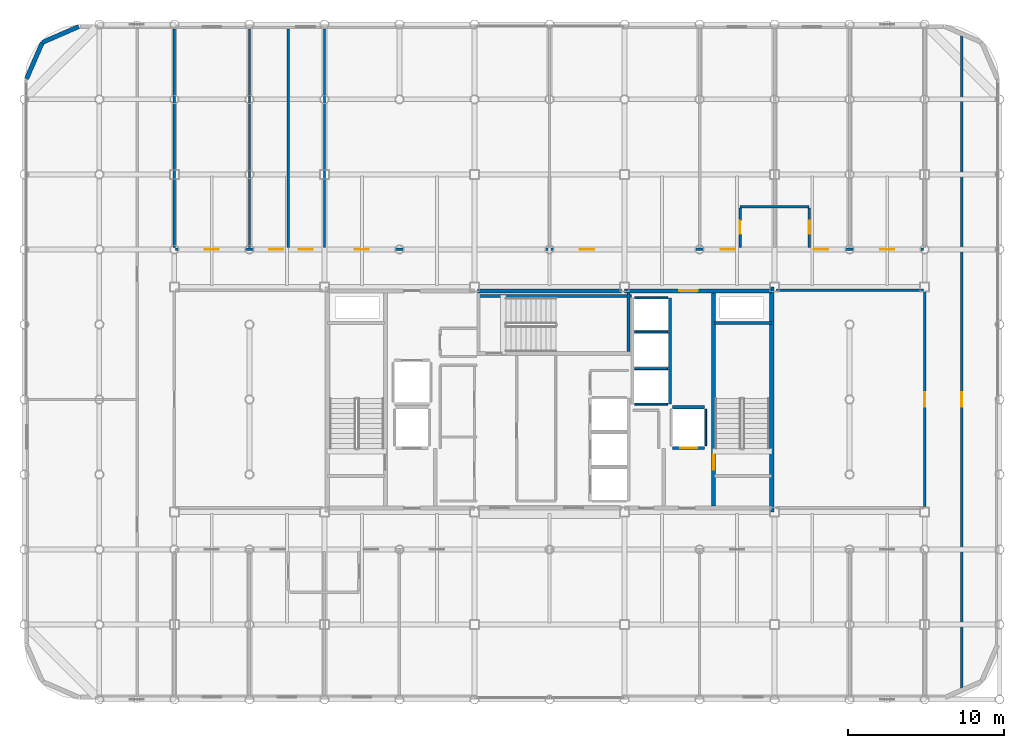
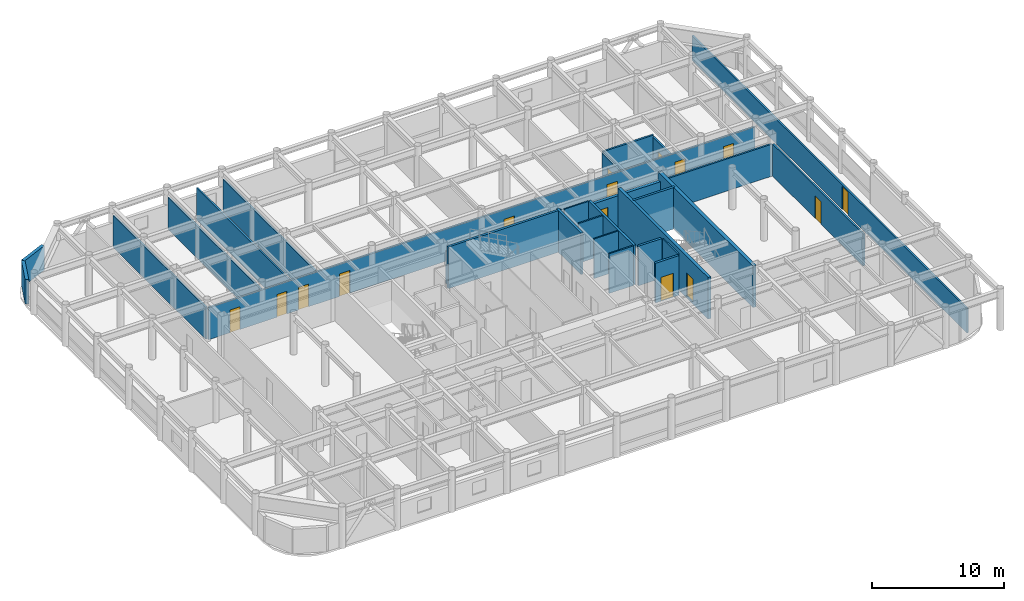
# One storey, part 20 of 22: 28 walls, 15 doors, 15 openings.
"""IFC4 building model written with IfcOpenShell, lengths in metres."""

from ifc_helpers import new_model, si_unit, direction, frame, frame_2d, origin, place, context, subcontext, project, spatial, rectangle, extrude, material, layer, layer_set, type_object, element, fill, save


model = new_model("IFC4")

# Units and contexts
model_context = context("Model", 3, precision=1e-05, world=origin(), true_north=direction((0.0, 1.0)))
body_context = subcontext(model_context, "Body", "Model", "MODEL_VIEW")
ifc_project = project(units=[si_unit("LENGTHUNIT", "METRE"), si_unit("AREAUNIT", "SQUARE_METRE"), si_unit("VOLUMEUNIT", "CUBIC_METRE"), si_unit("PLANEANGLEUNIT", "RADIAN"), si_unit("MASSUNIT", "GRAM", prefix="KILO")], contexts=[model_context])

# Site, building, storey
site_placement = place(None, origin())
site = spatial("IfcSite", under=ifc_project, at=site_placement, CompositionType="ELEMENT")
building_placement = place(site_placement, origin())
building = spatial("IfcBuilding", under=site, at=building_placement, Name="Kallvorn Hotel Tower", CompositionType="ELEMENT")
storey_placement = place(building_placement, frame((0.0, 0.0, 264.64990234375)))
storey = spatial("IfcBuildingStorey", under=building, at=storey_placement, Name="L66", CompositionType="ELEMENT", Elevation=264.64990234375)

# Wall
ifc_material_1 = material(Name="Concrete C50/60", Category="concrete")
ifc_layer_1 = layer(ifc_material_1, 0.300048828125)
ifc_layer_set_1 = layer_set([ifc_layer_1], Name="WL_CORE_300")
wall_type_1 = type_object("IfcWallType", Name="WL_CORE_300", PredefinedType="SHEAR", material=ifc_layer_set_1)
wall_1_placement = place(storey_placement, frame((14.215087890625, -7.199951171875, -0.179931640625), z_axis=(0.0, 0.0, 1.0), x_axis=(0.0, 1.0, 0.0)))
element("IfcWall", 1, at=wall_1_placement, inside=storey, type_object=wall_type_1, Name="L66 Core East Shear Wall", PredefinedType="SHEAR", context=body_context, shape_type="SweptSolid", body=[
    extrude(rectangle(XDim=14.39990234375, YDim=0.300048828125, at=frame_2d((7.199951171875, 0.0))), origin(), (0.0, 0.0, 1.0), 3.85009765625),
])

# Wall, openings, doors
ifc_material_2 = material(Name="Fire-rated double-layer acoustic gypsum drywall EI 60")
ifc_layer_2 = layer(ifc_material_2, 0.159912109375)
ifc_layer_set_2 = layer_set([ifc_layer_2], Name="WL_DEMISE_160")
wall_type_2 = type_object("IfcWallType", Name="WL_DEMISE_160", PredefinedType="PARTITIONING", material=ifc_layer_set_2)
wall_2_placement = place(storey_placement, frame((-23.919921875, 9.60009765625, 0.0), z_axis=(0.0, 0.0, 1.0), x_axis=(1.0, 0.0, 0.0)))
wall_2 = element("IfcWall", 2, at=wall_2_placement, inside=storey, type_object=wall_type_2, Name="L66 Suite 6603 Standard King Room Partition", PredefinedType="PARTITIONING", context=body_context, shape_type="SweptSolid", body=[
    extrude(rectangle(XDim=47.83984375, YDim=0.159912109375, at=frame_2d((23.919921875, 0.0))), origin(), (0.0, 0.0, 1.0), 2.97021484375),
])
opening_1_placement = place(wall_2_placement, frame((1.8701171875, 0.0, 0.0)))
opening_1 = element("IfcOpeningElement", 3, at=opening_1_placement, cuts=wall_2, Name="Opening SVD1", PredefinedType="OPENING", context=body_context, shape_type="SweptSolid", body=[
    extrude(rectangle(XDim=0.89990234375, YDim=2.10009765625, at=frame_2d((0.449951171875, 1.050048828125))), frame((0.0, 0.094970703125, 0.0), z_axis=(0.0, -1.0, 0.0), x_axis=(1.0, 0.0, 0.0)), (0.0, 0.0, 1.0), 0.18994140625),
])
opening_2_placement = place(wall_2_placement, frame((45.070068359375, 0.0, 0.0)))
opening_2 = element("IfcOpeningElement", 4, at=opening_2_placement, cuts=wall_2, Name="Opening SVD1", PredefinedType="OPENING", context=body_context, shape_type="SweptSolid", body=[
    extrude(rectangle(XDim=0.89990234375, YDim=2.10009765625, at=frame_2d((0.449951171875, 1.050048828125))), frame((0.0, 0.094970703125, 0.0), z_axis=(0.0, -1.0, 0.0), x_axis=(1.0, 0.0, 0.0)), (0.0, 0.0, 1.0), 0.18994140625),
])
opening_3_placement = place(wall_2_placement, frame((5.97998046875, 0.0, 0.0)))
opening_3 = element("IfcOpeningElement", 5, at=opening_3_placement, cuts=wall_2, Name="Opening SVD1", PredefinedType="OPENING", context=body_context, shape_type="SweptSolid", body=[
    extrude(rectangle(XDim=0.89990234375, YDim=2.10009765625, at=frame_2d((0.449951171875, 1.050048828125))), frame((0.0, 0.094970703125, 0.0), z_axis=(0.0, -1.0, 0.0), x_axis=(1.0, 0.0, 0.0)), (0.0, 0.0, 1.0), 0.18994140625),
])
opening_4_placement = place(wall_2_placement, frame((7.8701171875, 0.0, 0.0)))
opening_4 = element("IfcOpeningElement", 6, at=opening_4_placement, cuts=wall_2, Name="Opening SVD1", PredefinedType="OPENING", context=body_context, shape_type="SweptSolid", body=[
    extrude(rectangle(XDim=0.89990234375, YDim=2.10009765625, at=frame_2d((0.449951171875, 1.050048828125))), frame((0.0, 0.094970703125, 0.0), z_axis=(0.0, -1.0, 0.0), x_axis=(1.0, 0.0, 0.0)), (0.0, 0.0, 1.0), 0.18994140625),
])
opening_5_placement = place(wall_2_placement, frame((11.469970703125, 0.0, 0.0)))
opening_5 = element("IfcOpeningElement", 7, at=opening_5_placement, cuts=wall_2, Name="Opening SVD1", PredefinedType="OPENING", context=body_context, shape_type="SweptSolid", body=[
    extrude(rectangle(XDim=0.89990234375, YDim=2.10009765625, at=frame_2d((0.449951171875, 1.050048828125))), frame((0.0, 0.094970703125, 0.0), z_axis=(0.0, -1.0, 0.0), x_axis=(1.0, 0.0, 0.0)), (0.0, 0.0, 1.0), 0.18994140625),
])
opening_6_placement = place(wall_2_placement, frame((25.8701171875, 0.0, 0.0)))
opening_6 = element("IfcOpeningElement", 8, at=opening_6_placement, cuts=wall_2, Name="Opening SVD1", PredefinedType="OPENING", context=body_context, shape_type="SweptSolid", body=[
    extrude(rectangle(XDim=0.89990234375, YDim=2.10009765625, at=frame_2d((0.449951171875, 1.050048828125))), frame((0.0, 0.094970703125, 0.0), z_axis=(0.0, -1.0, 0.0), x_axis=(1.0, 0.0, 0.0)), (0.0, 0.0, 1.0), 0.18994140625),
])
opening_7_placement = place(wall_2_placement, frame((34.889892578125, 0.0, 0.0)))
opening_7 = element("IfcOpeningElement", 9, at=opening_7_placement, cuts=wall_2, Name="Opening GD1", PredefinedType="OPENING", context=body_context, shape_type="SweptSolid", body=[
    extrude(rectangle(XDim=0.919921875, YDim=2.14990234375, at=frame_2d((0.4599609375, 1.074951171875))), frame((0.0, 0.094970703125, 0.0), z_axis=(0.0, -1.0, 0.0), x_axis=(1.0, 0.0, 0.0)), (0.0, 0.0, 1.0), 0.18994140625),
])
opening_8_placement = place(wall_2_placement, frame((40.830078125, 0.0, 0.0)))
opening_8 = element("IfcOpeningElement", 10, at=opening_8_placement, cuts=wall_2, Name="Opening GD1", PredefinedType="OPENING", context=body_context, shape_type="SweptSolid", body=[
    extrude(rectangle(XDim=0.919921875, YDim=2.14990234375, at=frame_2d((0.4599609375, 1.074951171875))), frame((0.0, 0.094970703125, 0.0), z_axis=(0.0, -1.0, 0.0), x_axis=(1.0, 0.0, 0.0)), (0.0, 0.0, 1.0), 0.18994140625),
])
ifc_material_3 = material(Name="Solid-core walnut veneer fire-rated timber door leaf", Category="wood")
door_type_1 = type_object("IfcDoorType", Name="DR_GUEST_920x2150", OperationType="NOTDEFINED", PredefinedType="DOOR", material=ifc_material_3)
door_1_placement = place(opening_7_placement, origin())
door_1 = element("IfcDoor", 11, at=door_1_placement, inside=storey, type_object=door_type_1, Name="L66 Suite 6603 Standard King Room Door", OperationType="SINGLE_SWING_LEFT", OverallHeight=2.14990234375, OverallWidth=0.919921875, PredefinedType="DOOR", context=body_context, shape_type="SweptSolid", body=[
    extrude(rectangle(XDim=0.919921875, YDim=2.14990234375, at=frame_2d((0.4599609375, 1.074951171875))), frame((0.0, 0.02490234375, 0.0), z_axis=(0.0, -1.0, 0.0), x_axis=(1.0, 0.0, 0.0)), (0.0, 0.0, 1.0), 0.050048828125),
])
fill(opening_7, door_1)
door_2_placement = place(opening_8_placement, origin())
door_2 = element("IfcDoor", 12, at=door_2_placement, inside=storey, type_object=door_type_1, Name="L66 Suite 6604 Standard King Room Door", OperationType="SINGLE_SWING_RIGHT", OverallHeight=2.14990234375, OverallWidth=0.919921875, PredefinedType="DOOR", context=body_context, shape_type="SweptSolid", body=[
    extrude(rectangle(XDim=0.919921875, YDim=2.14990234375, at=frame_2d((0.4599609375, 1.074951171875))), frame((0.0, 0.02490234375, 0.0), z_axis=(0.0, -1.0, 0.0), x_axis=(1.0, 0.0, 0.0)), (0.0, 0.0, 1.0), 0.050048828125),
])
fill(opening_8, door_2)
ifc_material_4 = material(Name="Galvanised painted steel fire-rated door assembly", Category="steel")
door_type_2 = type_object("IfcDoorType", Name="DR_SERV_900x2100", OperationType="NOTDEFINED", PredefinedType="DOOR", material=ifc_material_4)
door_3_placement = place(opening_1_placement, origin())
door_3 = element("IfcDoor", 13, at=door_3_placement, inside=storey, type_object=door_type_2, Name="L66 L66 High-Zone North-West Reading Salon Door", OperationType="SINGLE_SWING_RIGHT", OverallHeight=2.10009765625, OverallWidth=0.89990234375, PredefinedType="DOOR", context=body_context, shape_type="SweptSolid", body=[
    extrude(rectangle(XDim=0.89990234375, YDim=2.10009765625, at=frame_2d((0.449951171875, 1.050048828125))), frame((0.0, 0.02490234375, 0.0), z_axis=(0.0, -1.0, 0.0), x_axis=(1.0, 0.0, 0.0)), (0.0, 0.0, 1.0), 0.050048828125),
])
fill(opening_1, door_3)
door_4_placement = place(opening_2_placement, origin())
door_4 = element("IfcDoor", 14, at=door_4_placement, inside=storey, type_object=door_type_2, Name="L66 L66 High-Zone North-East Pastry Bar Door", OperationType="SINGLE_SWING_RIGHT", OverallHeight=2.10009765625, OverallWidth=0.89990234375, PredefinedType="DOOR", context=body_context, shape_type="SweptSolid", body=[
    extrude(rectangle(XDim=0.89990234375, YDim=2.10009765625, at=frame_2d((0.449951171875, 1.050048828125))), frame((0.0, 0.02490234375, 0.0), z_axis=(0.0, -1.0, 0.0), x_axis=(1.0, 0.0, 0.0)), (0.0, 0.0, 1.0), 0.050048828125),
])
fill(opening_2, door_4)
door_5_placement = place(opening_3_placement, origin())
door_5 = element("IfcDoor", 15, at=door_5_placement, inside=storey, type_object=door_type_2, Name="L66 Housekeeping and Linen Room Door", OperationType="SINGLE_SWING_RIGHT", OverallHeight=2.10009765625, OverallWidth=0.89990234375, PredefinedType="DOOR", context=body_context, shape_type="SweptSolid", body=[
    extrude(rectangle(XDim=0.89990234375, YDim=2.10009765625, at=frame_2d((0.449951171875, 1.050048828125))), frame((0.0, 0.02490234375, 0.0), z_axis=(0.0, -1.0, 0.0), x_axis=(1.0, 0.0, 0.0)), (0.0, 0.0, 1.0), 0.050048828125),
])
fill(opening_3, door_5)
door_6_placement = place(opening_4_placement, origin())
door_6 = element("IfcDoor", 16, at=door_6_placement, inside=storey, type_object=door_type_2, Name="L66 Guest Tea and Refreshment Bar Door", OperationType="SINGLE_SWING_RIGHT", OverallHeight=2.10009765625, OverallWidth=0.89990234375, PredefinedType="DOOR", context=body_context, shape_type="SweptSolid", body=[
    extrude(rectangle(XDim=0.89990234375, YDim=2.10009765625, at=frame_2d((0.449951171875, 1.050048828125))), frame((0.0, 0.02490234375, 0.0), z_axis=(0.0, -1.0, 0.0), x_axis=(1.0, 0.0, 0.0)), (0.0, 0.0, 1.0), 0.050048828125),
])
fill(opening_4, door_6)
door_7_placement = place(opening_5_placement, origin())
door_7 = element("IfcDoor", 17, at=door_7_placement, inside=storey, type_object=door_type_2, Name="L66 L66 Curated Emerald Craft Retail Boutique 2 Door", OperationType="SINGLE_SWING_LEFT", OverallHeight=2.10009765625, OverallWidth=0.89990234375, PredefinedType="DOOR", context=body_context, shape_type="SweptSolid", body=[
    extrude(rectangle(XDim=0.89990234375, YDim=2.10009765625, at=frame_2d((0.449951171875, 1.050048828125))), frame((0.0, 0.02490234375, 0.0), z_axis=(0.0, -1.0, 0.0), x_axis=(1.0, 0.0, 0.0)), (0.0, 0.0, 1.0), 0.050048828125),
])
fill(opening_5, door_7)
door_8_placement = place(opening_6_placement, origin())
door_8 = element("IfcDoor", 18, at=door_8_placement, inside=storey, type_object=door_type_2, Name="L66 L66 Haute Couture Design Retail Shop 3 Door", OperationType="SINGLE_SWING_RIGHT", OverallHeight=2.10009765625, OverallWidth=0.89990234375, PredefinedType="DOOR", context=body_context, shape_type="SweptSolid", body=[
    extrude(rectangle(XDim=0.89990234375, YDim=2.10009765625, at=frame_2d((0.449951171875, 1.050048828125))), frame((0.0, 0.02490234375, 0.0), z_axis=(0.0, -1.0, 0.0), x_axis=(1.0, 0.0, 0.0)), (0.0, 0.0, 1.0), 0.050048828125),
])
fill(opening_6, door_8)

# Wall
wall_3_placement = place(storey_placement, frame((12.18994140625, 12.320068359375, 0.0), z_axis=(0.0, 0.0, 1.0), x_axis=(1.0, 0.0, 0.0)))
element("IfcWall", 19, at=wall_3_placement, inside=storey, type_object=wall_type_2, Name="L66 Suite 6603 Standard King Room Partition", PredefinedType="PARTITIONING", context=body_context, shape_type="SweptSolid", body=[
    extrude(rectangle(XDim=4.420166015625, YDim=0.159912109375, at=frame_2d((2.2099609375, 0.0))), origin(), (0.0, 0.0, 1.0), 3.1201171875),
])

# Wall, opening, door
wall_4_placement = place(storey_placement, frame((12.18994140625, 9.719970703125, 0.0), z_axis=(0.0, 0.0, 1.0), x_axis=(0.0, 1.0, 0.0)))
wall_4 = element("IfcWall", 20, at=wall_4_placement, inside=storey, type_object=wall_type_2, Name="L66 Suite 6603 Standard King Room Partition", PredefinedType="PARTITIONING", context=body_context, shape_type="SweptSolid", body=[
    extrude(rectangle(XDim=2.51513671875, YDim=0.159912109375, at=frame_2d((1.257568359375, 0.0))), origin(), (0.0, 0.0, 1.0), 2.97021484375),
])
opening_9_placement = place(wall_4_placement, frame((0.8701171875, 0.0, 0.0)))
opening_9 = element("IfcOpeningElement", 21, at=opening_9_placement, cuts=wall_4, Name="Opening BD-I", PredefinedType="OPENING", context=body_context, shape_type="SweptSolid", body=[
    extrude(rectangle(XDim=0.860107421875, YDim=2.10009765625, at=frame_2d((0.43017578125, 1.050048828125))), frame((0.0, 0.094970703125, 0.0), z_axis=(0.0, -1.0, 0.0), x_axis=(1.0, 0.0, 0.0)), (0.0, 0.0, 1.0), 0.18994140625),
])
ifc_material_5 = material(Name="Solid-core walnut veneer fire-rated timber door leaf", Category="wood")
door_type_3 = type_object("IfcDoorType", Name="DR_BATH_860x2100", OperationType="NOTDEFINED", PredefinedType="DOOR", material=ifc_material_5)
door_9_placement = place(opening_9_placement, origin())
door_9 = element("IfcDoor", 22, at=door_9_placement, inside=storey, type_object=door_type_3, Name="L66 Suite 6603 En-Suite Bathroom Door", OperationType="SINGLE_SWING_RIGHT", OverallHeight=2.10009765625, OverallWidth=0.860107421875, PredefinedType="DOOR", context=body_context, shape_type="SweptSolid", body=[
    extrude(rectangle(XDim=0.860107421875, YDim=2.10009765625, at=frame_2d((0.43017578125, 1.050048828125))), frame((0.0, 0.02490234375, 0.0), z_axis=(0.0, -1.0, 0.0), x_axis=(1.0, 0.0, 0.0)), (0.0, 0.0, 1.0), 0.050048828125),
])
fill(opening_9, door_9)

wall_5_placement = place(storey_placement, frame((16.610107421875, 9.719970703125, 0.0), z_axis=(0.0, 0.0, 1.0), x_axis=(0.0, 1.0, 0.0)))
wall_5 = element("IfcWall", 23, at=wall_5_placement, inside=storey, type_object=wall_type_2, Name="L66 Suite 6604 Standard King Room Partition", PredefinedType="PARTITIONING", context=body_context, shape_type="SweptSolid", body=[
    extrude(rectangle(XDim=2.51513671875, YDim=0.159912109375, at=frame_2d((1.257568359375, 0.0))), origin(), (0.0, 0.0, 1.0), 2.97021484375),
])
opening_10_placement = place(wall_5_placement, frame((0.8701171875, 0.0, 0.0)))
opening_10 = element("IfcOpeningElement", 24, at=opening_10_placement, cuts=wall_5, Name="Opening BD-I", PredefinedType="OPENING", context=body_context, shape_type="SweptSolid", body=[
    extrude(rectangle(XDim=0.860107421875, YDim=2.10009765625, at=frame_2d((0.43017578125, 1.050048828125))), frame((0.0, 0.094970703125, 0.0), z_axis=(0.0, -1.0, 0.0), x_axis=(1.0, 0.0, 0.0)), (0.0, 0.0, 1.0), 0.18994140625),
])
door_10_placement = place(opening_10_placement, origin())
door_10 = element("IfcDoor", 25, at=door_10_placement, inside=storey, type_object=door_type_3, Name="L66 Suite 6604 En-Suite Bathroom Door", OperationType="SINGLE_SWING_RIGHT", OverallHeight=2.10009765625, OverallWidth=0.860107421875, PredefinedType="DOOR", context=body_context, shape_type="SweptSolid", body=[
    extrude(rectangle(XDim=0.860107421875, YDim=2.10009765625, at=frame_2d((0.43017578125, 1.050048828125))), frame((0.0, 0.02490234375, 0.0), z_axis=(0.0, -1.0, 0.0), x_axis=(1.0, 0.0, 0.0)), (0.0, 0.0, 1.0), 0.050048828125),
])
fill(opening_10, door_10)

# Walls
ifc_material_6 = material(Name="Precast basalt-clad insulated concrete wall C40/50", Category="masonry")
ifc_layer_3 = layer(ifc_material_6, 0.280029296875)
ifc_layer_set_3 = layer_set([ifc_layer_3], Name="WL_EXT_LOGGIA_280")
wall_type_3 = type_object("IfcWallType", Name="WL_EXT_LOGGIA_280", PredefinedType="SOLIDWALL", material=ifc_layer_set_3)
wall_6_placement = place(storey_placement, frame((-30.120849609375, 23.85791015625, 0.0), z_axis=(0.0, 0.0, 1.0), x_axis=(-0.917060872934, -0.398747232384, 0.0)))
element("IfcWall", 26, at=wall_6_placement, inside=storey, type_object=wall_type_3, Name="L66 Rounded Corner Exterior Wall NW1", PredefinedType="SOLIDWALL", context=body_context, shape_type="SweptSolid", body=[
    extrude(rectangle(XDim=2.5361328125, YDim=0.280029296875, at=frame_2d((1.26806640625, 0.0))), origin(), (0.0, 0.0, 1.0), 2.27001953125),
])
wall_7_placement = place(storey_placement, frame((-32.446533203125, 22.8466796875, 0.0), z_axis=(0.0, 0.0, 1.0), x_axis=(-0.398792985289, -0.917040977756, 0.0)))
element("IfcWall", 27, at=wall_7_placement, inside=storey, type_object=wall_type_3, Name="L66 Rounded Corner Exterior Wall NW2", PredefinedType="SOLIDWALL", context=body_context, shape_type="SweptSolid", body=[
    extrude(rectangle(XDim=2.536376953125, YDim=0.280029296875, at=frame_2d((1.26806640625, 0.0))), origin(), (0.0, 0.0, 1.0), 2.27001953125),
])
ifc_material_7 = material(Name="Concrete C40/50", Category="concrete")
ifc_layer_4 = layer(ifc_material_7, 0.199951171875)
ifc_layer_set_4 = layer_set([ifc_layer_4], Name="WL_HOIST_200")
wall_type_4 = type_object("IfcWallType", Name="WL_HOIST_200", PredefinedType="SOLIDWALL", material=ifc_layer_set_4)
wall_8_placement = place(storey_placement, frame((10.550048828125, 4.89990234375, -0.179931640625), z_axis=(0.0, 0.0, 1.0), x_axis=(1.0, 0.0, 0.0)))
element("IfcWall", 28, at=wall_8_placement, inside=storey, type_object=wall_type_4, Name="L66 Stair ST2 North Wall", PredefinedType="SOLIDWALL", context=body_context, shape_type="SweptSolid", body=[
    extrude(rectangle(XDim=3.64990234375, YDim=0.199951171875, at=frame_2d((1.824951171875, 0.0))), origin(), (0.0, 0.0, 1.0), 3.85009765625),
])
wall_9_placement = place(storey_placement, frame((-4.64990234375, 6.610107421875, -0.179931640625), z_axis=(0.0, 0.0, 1.0), x_axis=(1.0, 0.0, 0.0)))
element("IfcWall", 29, at=wall_9_placement, inside=storey, type_object=wall_type_4, Name="L66 Stair ST3 Shaft North Wall", PredefinedType="SOLIDWALL", context=body_context, shape_type="SweptSolid", body=[
    extrude(rectangle(XDim=9.89990234375, YDim=0.199951171875, at=frame_2d((4.949951171875, 0.0))), origin(), (0.0, 0.0, 1.0), 3.85009765625),
])
wall_10_placement = place(storey_placement, frame((5.06005859375, 3.080078125, -0.179931640625), z_axis=(0.0, 0.0, 1.0), x_axis=(0.0, 1.0, 0.0)))
element("IfcWall", 30, at=wall_10_placement, inside=storey, type_object=wall_type_4, Name="L66 Stair ST3 East Wall", PredefinedType="SOLIDWALL", context=body_context, shape_type="SweptSolid", body=[
    extrude(rectangle(XDim=3.739990234375, YDim=0.199951171875, at=frame_2d((1.8701171875, 0.0))), origin(), (0.0, 0.0, 1.0), 3.85009765625),
])
wall_11_placement = place(storey_placement, frame((7.699951171875, -0.300048828125, 0.0), z_axis=(0.0, 0.0, 1.0), x_axis=(0.0, 1.0, 0.0)))
element("IfcWall", 31, at=wall_11_placement, inside=storey, type_object=wall_type_4, Name="L66 Lift Bank OBS Landing Wall", PredefinedType="SOLIDWALL", context=body_context, shape_type="SweptSolid", body=[
    extrude(rectangle(XDim=6.800048828125, YDim=0.199951171875, at=frame_2d((3.39990234375, 0.0))), origin(), (0.0, 0.0, 1.0), 3.670166015625),
])

# Wall, opening, door
wall_12_placement = place(storey_placement, frame((7.8798828125, -3.10009765625, 0.0), z_axis=(0.0, 0.0, 1.0), x_axis=(1.0, 0.0, 0.0)))
wall_12 = element("IfcWall", 32, at=wall_12_placement, inside=storey, type_object=wall_type_4, Name="L66 FL-2 Landing Wall", PredefinedType="SOLIDWALL", context=body_context, shape_type="SweptSolid", body=[
    extrude(rectangle(XDim=2.0400390625, YDim=0.199951171875, at=frame_2d((1.02001953125, 0.0))), origin(), (0.0, 0.0, 1.0), 3.670166015625),
])
opening_11_placement = place(wall_12_placement, frame((0.469970703125, 0.0, 0.0)))
opening_11 = element("IfcOpeningElement", 33, at=opening_11_placement, cuts=wall_12, Name="Opening LD-FL-2", PredefinedType="OPENING", context=body_context, shape_type="SweptSolid", body=[
    extrude(rectangle(XDim=1.10009765625, YDim=2.199951171875, at=frame_2d((0.550048828125, 1.10009765625))), frame((0.0, 0.114990234375, 0.0), z_axis=(0.0, -1.0, 0.0), x_axis=(1.0, 0.0, 0.0)), (0.0, 0.0, 1.0), 0.22998046875),
])
ifc_material_8 = material(Name="Brushed stainless-steel automatic sliding lift landing door", Category="steel")
door_type_4 = type_object("IfcDoorType", Name="LD_PASS_1100x2200", OperationType="SLIDING_TO_LEFT", PredefinedType="DOOR", material=ifc_material_8)
door_11_placement = place(opening_11_placement, origin())
door_11 = element("IfcDoor", 34, at=door_11_placement, inside=storey, type_object=door_type_4, Name="L66 Lift Landing Sliding Door LD-FL-2", OperationType="SLIDING_TO_LEFT", OverallHeight=2.199951171875, OverallWidth=1.10009765625, PredefinedType="DOOR", context=body_context, shape_type="SweptSolid", body=[
    extrude(rectangle(XDim=1.10009765625, YDim=2.199951171875, at=frame_2d((0.550048828125, 1.10009765625))), frame((0.0, 0.02490234375, 0.0), z_axis=(0.0, -1.0, 0.0), x_axis=(1.0, 0.0, 0.0)), (0.0, 0.0, 1.0), 0.050048828125),
])
fill(opening_11, door_11)

# Walls
wall_13_placement = place(storey_placement, frame((7.8798828125, -0.5, 0.0), z_axis=(0.0, 0.0, 1.0), x_axis=(1.0, 0.0, 0.0)))
element("IfcWall", 35, at=wall_13_placement, inside=storey, type_object=wall_type_4, Name="L66 FL-2 Rear Shaft Wall", PredefinedType="SOLIDWALL", context=body_context, shape_type="SweptSolid", body=[
    extrude(rectangle(XDim=2.0400390625, YDim=0.199951171875, at=frame_2d((1.02001953125, 0.0))), origin(), (0.0, 0.0, 1.0), 3.670166015625),
])
ifc_material_9 = material(Name="Fire-rated double-layer acoustic gypsum drywall EI 60")
ifc_layer_5 = layer(ifc_material_9, 0.1201171875)
ifc_layer_set_5 = layer_set([ifc_layer_5], Name="WL_INT_120")
wall_type_5 = type_object("IfcWallType", Name="WL_INT_120", PredefinedType="PARTITIONING", material=ifc_layer_set_5)
for number, where, z_axis, x_axis, name in (
    (36, (5.43994140625, -0.300048828125, 0.0), (0.0, 0.0, 1.0), (1.0, 0.0, 0.0), "L66 Lift Bank OBS South Closure Wall"),
    (37, (5.43994140625, 1.97509765625, 0.0), (0.0, 0.0, 1.0), (1.0, 0.0, 0.0), "L66 OB-01 Hoistway Divider"),
    (38, (5.43994140625, 4.324951171875, 0.0), (0.0, 0.0, 1.0), (1.0, 0.0, 0.0), "L66 OB-02 Hoistway Divider"),
    (39, (5.43994140625, 6.5, 0.0), (0.0, 0.0, 1.0), (1.0, 0.0, 0.0), "L66 OB-03 Hoistway Divider"),
):
    element("IfcWall", number, at=place(storey_placement, frame(where, z_axis=z_axis, x_axis=x_axis)), inside=storey, type_object=wall_type_5, Name=name, PredefinedType="PARTITIONING", context=body_context, shape_type="SweptSolid", body=[
        extrude(rectangle(XDim=2.1201171875, YDim=0.1201171875, at=frame_2d((1.06005859375, 0.0))), origin(), (0.0, 0.0, 1.0), 3.670166015625),
    ])
wall_14_placement = place(storey_placement, frame((10.0, -2.9599609375, 0.0), z_axis=(0.0, 0.0, 1.0), x_axis=(0.0, 1.0, 0.0)))
element("IfcWall", 40, at=wall_14_placement, inside=storey, type_object=wall_type_5, Name="L66 FL-2 East Shaft Wall", PredefinedType="PARTITIONING", context=body_context, shape_type="SweptSolid", body=[
    extrude(rectangle(XDim=2.320068359375, YDim=0.1201171875, at=frame_2d((1.16015625, 0.0))), origin(), (0.0, 0.0, 1.0), 3.670166015625),
])
ifc_material_10 = material(Name="Fire-rated double-layer acoustic gypsum drywall EI 60")
ifc_layer_6 = layer(ifc_material_10, 0.14990234375)
ifc_layer_set_6 = layer_set([ifc_layer_6], Name="WL_PART_150")
wall_type_6 = type_object("IfcWallType", Name="WL_PART_150", PredefinedType="PARTITIONING", material=ifc_layer_set_6)
wall_15_placement = place(storey_placement, frame((14.52001953125, 6.97998046875, 0.0), z_axis=(0.0, 0.0, 1.0), x_axis=(1.0, 0.0, 0.0)))
element("IfcWall", 41, at=wall_15_placement, inside=storey, type_object=wall_type_6, Name="L66 L66 High-Zone Inner East Club Gallery Partition", PredefinedType="PARTITIONING", context=body_context, shape_type="SweptSolid", body=[
    extrude(rectangle(XDim=9.39990234375, YDim=0.14990234375, at=frame_2d((4.699951171875, 0.0))), origin(), (0.0, 0.0, 1.0), 2.97021484375),
])
for number, where, z_axis, x_axis, name in (
    (42, (-24.0, 9.719970703125, 0.0), (0.0, 0.0, 1.0), (0.0, 1.0, 0.0), "L66 L66 High-Zone North-West Reading Salon Partition"),
    (43, (-19.199951171875, 9.719970703125, 0.0), (0.0, 0.0, 1.0), (0.0, 1.0, 0.0), "L66 Housekeeping and Linen Room Partition"),
    (44, (-16.705078125, 9.719970703125, 0.0), (0.0, 0.0, 1.0), (0.0, 1.0, 0.0), "L66 Guest Tea and Refreshment Bar Partition"),
    (45, (-14.39990234375, 9.719970703125, 0.0), (0.0, 0.0, 1.0), (0.0, 1.0, 0.0), "L66 Guest Tea and Refreshment Bar Partition"),
):
    element("IfcWall", number, at=place(storey_placement, frame(where, z_axis=z_axis, x_axis=x_axis)), inside=storey, type_object=wall_type_6, Name=name, PredefinedType="PARTITIONING", context=body_context, shape_type="SweptSolid", body=[
        extrude(rectangle(XDim=13.989990234375, YDim=0.14990234375, at=frame_2d((6.9951171875, 0.0))), origin(), (0.0, 0.0, 1.0), 2.97021484375),
    ])

# Wall, opening, door
wall_16_placement = place(storey_placement, frame((24.0, -6.8349609375, 0.0), z_axis=(0.0, 0.0, 1.0), x_axis=(0.0, 1.0, 0.0)))
wall_16 = element("IfcWall", 46, at=wall_16_placement, inside=storey, type_object=wall_type_6, Name="L66 L66 High-Zone Inner East Club Gallery Partition", PredefinedType="PARTITIONING", context=body_context, shape_type="SweptSolid", body=[
    extrude(rectangle(XDim=13.72998046875, YDim=0.14990234375, at=frame_2d((6.864990234375, 0.0))), origin(), (0.0, 0.0, 1.0), 2.97021484375),
])
opening_12_placement = place(wall_16_placement, frame((6.385009765625, 0.0, 0.0)))
opening_12 = element("IfcOpeningElement", 47, at=opening_12_placement, cuts=wall_16, Name="Opening SVD1", PredefinedType="OPENING", context=body_context, shape_type="SweptSolid", body=[
    extrude(rectangle(XDim=0.89990234375, YDim=2.10009765625, at=frame_2d((0.449951171875, 1.050048828125))), frame((0.0, 0.08984375, 0.0), z_axis=(0.0, -1.0, 0.0), x_axis=(1.0, 0.0, 0.0)), (0.0, 0.0, 1.0), 0.179931640625),
])
door_12_placement = place(opening_12_placement, origin())
door_12 = element("IfcDoor", 48, at=door_12_placement, inside=storey, type_object=door_type_2, Name="L66 L66 High-Zone Inner East Club Gallery Door", OperationType="SINGLE_SWING_RIGHT", OverallHeight=2.10009765625, OverallWidth=0.89990234375, PredefinedType="DOOR", context=body_context, shape_type="SweptSolid", body=[
    extrude(rectangle(XDim=0.89990234375, YDim=2.10009765625, at=frame_2d((0.449951171875, 1.050048828125))), frame((0.0, 0.02490234375, 0.0), z_axis=(0.0, -1.0, 0.0), x_axis=(1.0, 0.0, 0.0)), (0.0, 0.0, 1.0), 0.050048828125),
])
fill(opening_12, door_12)

wall_17_placement = place(storey_placement, frame((26.3798828125, -18.447265625, 0.0), z_axis=(0.0, 0.0, 1.0), x_axis=(0.0, 1.0, 0.0)))
wall_17 = element("IfcWall", 49, at=wall_17_placement, inside=storey, type_object=wall_type_6, Name="L66 L66 Outer East Sky Observatory Salon Partition", PredefinedType="PARTITIONING", context=body_context, shape_type="SweptSolid", body=[
    extrude(rectangle(XDim=41.694580078125, YDim=0.14990234375, at=frame_2d((20.84716796875, 0.0))), origin(), (0.0, 0.0, 1.0), 2.27001953125),
])
opening_13_placement = place(wall_17_placement, frame((17.997314453125, 0.0, 0.0)))
opening_13 = element("IfcOpeningElement", 50, at=opening_13_placement, cuts=wall_17, Name="Opening SVD1", PredefinedType="OPENING", context=body_context, shape_type="SweptSolid", body=[
    extrude(rectangle(XDim=0.89990234375, YDim=2.10009765625, at=frame_2d((0.449951171875, 1.050048828125))), frame((0.0, 0.08984375, 0.0), z_axis=(0.0, -1.0, 0.0), x_axis=(1.0, 0.0, 0.0)), (0.0, 0.0, 1.0), 0.179931640625),
])
door_13_placement = place(opening_13_placement, origin())
door_13 = element("IfcDoor", 51, at=door_13_placement, inside=storey, type_object=door_type_2, Name="L66 L66 Outer East Sky Observatory Salon Door", OperationType="SINGLE_SWING_LEFT", OverallHeight=2.10009765625, OverallWidth=0.89990234375, PredefinedType="DOOR", context=body_context, shape_type="SweptSolid", body=[
    extrude(rectangle(XDim=0.89990234375, YDim=2.10009765625, at=frame_2d((0.449951171875, 1.050048828125))), frame((0.0, 0.02490234375, 0.0), z_axis=(0.0, -1.0, 0.0), x_axis=(1.0, 0.0, 0.0)), (0.0, 0.0, 1.0), 0.050048828125),
])
fill(opening_13, door_13)

# Wall
ifc_material_11 = material(Name="Concrete C40/50", Category="concrete")
ifc_layer_7 = layer(ifc_material_11, 0.25)
ifc_layer_set_7 = layer_set([ifc_layer_7], Name="WL_SHAFT_250")
wall_type_7 = type_object("IfcWallType", Name="WL_SHAFT_250", PredefinedType="SOLIDWALL", material=ifc_layer_set_7)
wall_18_placement = place(storey_placement, frame((-4.60009765625, 6.949951171875, 0.0), z_axis=(0.0, 0.0, 1.0), x_axis=(1.0, 0.0, 0.0)))
element("IfcWall", 52, at=wall_18_placement, inside=storey, type_object=wall_type_7, Name="L66 Core North-Central Wall", PredefinedType="SOLIDWALL", context=body_context, shape_type="SweptSolid", body=[
    extrude(rectangle(XDim=9.2001953125, YDim=0.25, at=frame_2d((4.60009765625, 0.0))), origin(), (0.0, 0.0, 1.0), 2.97021484375),
])

# Wall, opening, door
wall_19_placement = place(storey_placement, frame((4.800048828125, 6.949951171875, 0.0), z_axis=(0.0, 0.0, 1.0), x_axis=(1.0, 0.0, 0.0)))
wall_19 = element("IfcWall", 53, at=wall_19_placement, inside=storey, type_object=wall_type_7, Name="L66 Core North-East Wall", PredefinedType="SOLIDWALL", context=body_context, shape_type="SweptSolid", body=[
    extrude(rectangle(XDim=9.39990234375, YDim=0.25, at=frame_2d((4.699951171875, 0.0))), origin(), (0.0, 0.0, 1.0), 2.97021484375),
])
opening_14_placement = place(wall_19_placement, frame((3.5, 0.0, 0.0)))
opening_14 = element("IfcOpeningElement", 54, at=opening_14_placement, cuts=wall_19, Name="Opening FD2", PredefinedType="OPENING", context=body_context, shape_type="SweptSolid", body=[
    extrude(rectangle(XDim=1.199951171875, YDim=2.199951171875, at=frame_2d((0.60009765625, 1.10009765625))), frame((0.0, 0.139892578125, 0.0), z_axis=(0.0, -1.0, 0.0), x_axis=(1.0, 0.0, 0.0)), (0.0, 0.0, 1.0), 0.280029296875),
])
ifc_material_12 = material(Name="Galvanised painted steel fire-rated door assembly", Category="steel")
door_type_5 = type_object("IfcDoorType", Name="DR_LOBBY_1200x2200", OperationType="DOUBLE_DOOR_SINGLE_SWING", PredefinedType="DOOR", material=ifc_material_12)
door_14_placement = place(opening_14_placement, origin())
door_14 = element("IfcDoor", 55, at=door_14_placement, inside=storey, type_object=door_type_5, Name="L66 Observatory Shuttle Lobby Door", OperationType="DOUBLE_DOOR_SINGLE_SWING", OverallHeight=2.199951171875, OverallWidth=1.199951171875, PredefinedType="DOOR", context=body_context, shape_type="SweptSolid", body=[
    extrude(rectangle(XDim=1.199951171875, YDim=2.199951171875, at=frame_2d((0.60009765625, 1.10009765625))), frame((0.0, 0.02490234375, 0.0), z_axis=(0.0, -1.0, 0.0), x_axis=(1.0, 0.0, 0.0)), (0.0, 0.0, 1.0), 0.050048828125),
])
fill(opening_14, door_14)

wall_20_placement = place(storey_placement, frame((10.5, -6.820068359375, -0.179931640625), z_axis=(0.0, 0.0, 1.0), x_axis=(0.0, 1.0, 0.0)))
wall_20 = element("IfcWall", 56, at=wall_20_placement, inside=storey, type_object=wall_type_7, Name="L66 Stair ST2 Shaft Wall", PredefinedType="SOLIDWALL", context=body_context, shape_type="SweptSolid", body=[
    extrude(rectangle(XDim=13.64013671875, YDim=0.25, at=frame_2d((6.820068359375, 0.0))), origin(), (0.0, 0.0, 1.0), 3.85009765625),
])
opening_15_placement = place(wall_20_placement, frame((2.320068359375, 0.0, 0.179931640625)))
opening_15 = element("IfcOpeningElement", 57, at=opening_15_placement, cuts=wall_20, Name="Opening SD1", PredefinedType="OPENING", context=body_context, shape_type="SweptSolid", body=[
    extrude(rectangle(XDim=0.949951171875, YDim=2.14990234375, at=frame_2d((0.47509765625, 1.074951171875))), frame((0.0, 0.139892578125, 0.0), z_axis=(0.0, -1.0, 0.0), x_axis=(1.0, 0.0, 0.0)), (0.0, 0.0, 1.0), 0.280029296875),
])
ifc_material_13 = material(Name="Galvanised painted steel fire-rated door assembly", Category="steel")
door_type_6 = type_object("IfcDoorType", Name="DR_STAIR_950x2150", OperationType="NOTDEFINED", PredefinedType="DOOR", material=ifc_material_13)
door_15_placement = place(opening_15_placement, origin())
door_15 = element("IfcDoor", 58, at=door_15_placement, inside=storey, type_object=door_type_6, Name="L66 Exit Stair ST2 Fire Door", OperationType="SINGLE_SWING_RIGHT", OverallHeight=2.14990234375, OverallWidth=0.949951171875, PredefinedType="DOOR", context=body_context, shape_type="SweptSolid", body=[
    extrude(rectangle(XDim=0.949951171875, YDim=2.14990234375, at=frame_2d((0.47509765625, 1.074951171875))), frame((0.0, 0.02490234375, 0.0), z_axis=(0.0, -1.0, 0.0), x_axis=(1.0, 0.0, 0.0)), (0.0, 0.0, 1.0), 0.050048828125),
])
fill(opening_15, door_15)

save(model, "model.ifc")
